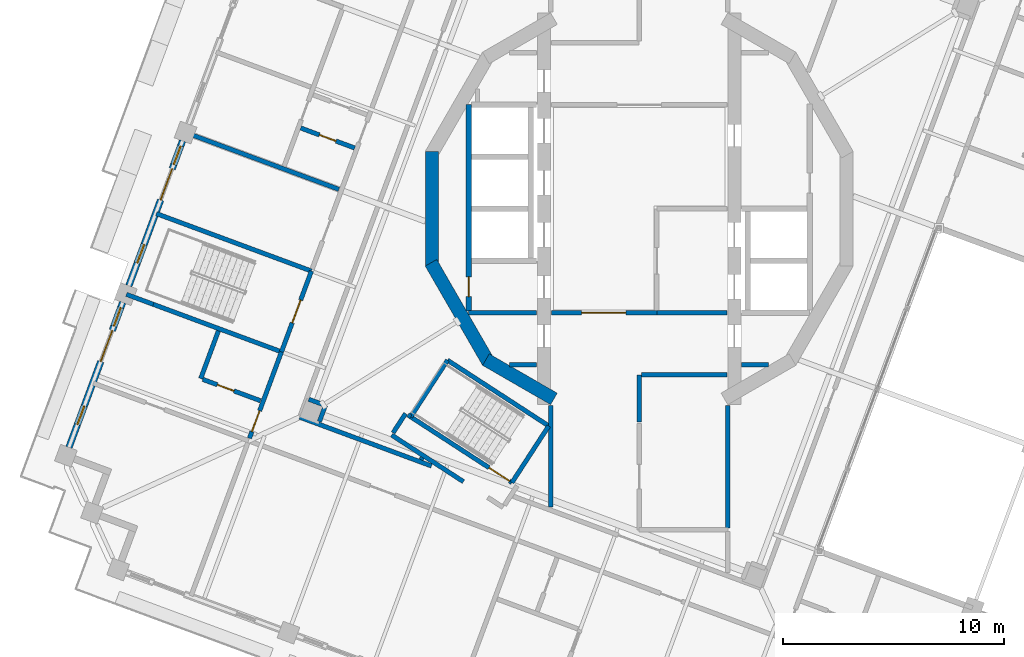
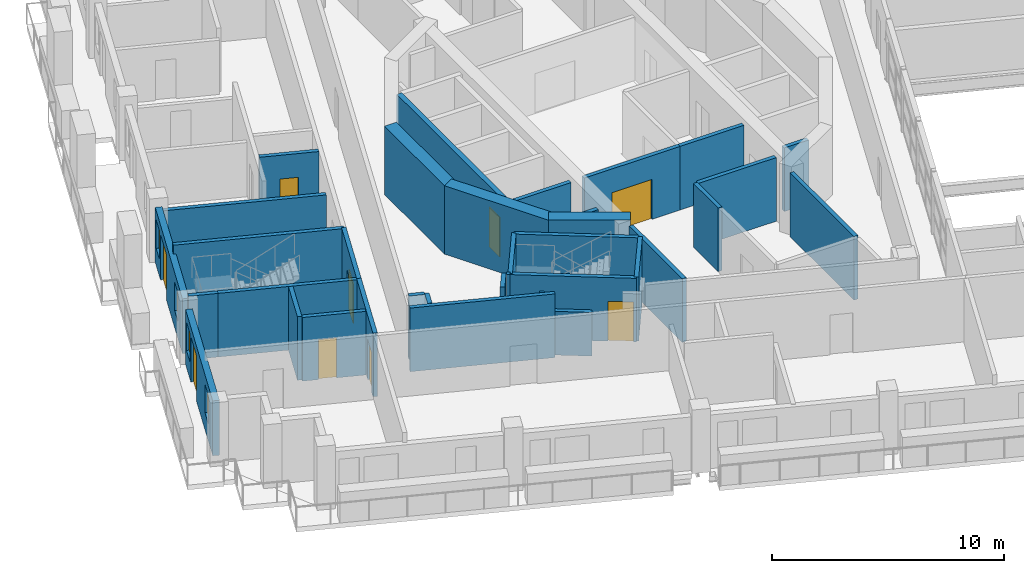
# One storey, part 6 of 19: 35 walls, 9 doors, 4 windows, 13 openings.
"""IFC4 building model written with IfcOpenShell, lengths in metres."""

from ifc_helpers import new_model, si_unit, direction, frame, frame_2d, origin, place, context, subcontext, project, spatial, rectangle, extrude, material, layer, layer_set, type_object, element, fill, save


model = new_model("IFC4")

# Units and contexts
model_context = context("Model", 3, precision=1e-05, world=origin(), true_north=direction((0.0, 1.0)))
body_context = subcontext(model_context, "Body", "Model", "MODEL_VIEW")
ifc_project = project(units=[si_unit("LENGTHUNIT", "METRE"), si_unit("AREAUNIT", "SQUARE_METRE"), si_unit("VOLUMEUNIT", "CUBIC_METRE"), si_unit("PLANEANGLEUNIT", "RADIAN"), si_unit("MASSUNIT", "GRAM", prefix="KILO")], contexts=[model_context])

# Site, building, storey
site_placement = place(None, origin())
site = spatial("IfcSite", under=ifc_project, at=site_placement, CompositionType="ELEMENT")
building_placement = place(site_placement, origin())
building = spatial("IfcBuilding", under=site, at=building_placement, Name="Cantera Rosa Tower", CompositionType="ELEMENT")
storey_placement = place(building_placement, frame((0.0, 0.0, 334.89990234375)))
storey = spatial("IfcBuildingStorey", under=building, at=storey_placement, Name="L75", CompositionType="ELEMENT", Elevation=334.89990234375)

# Wall
ifc_material_1 = material(Name="Gypsum board partition")
ifc_layer_1 = layer(ifc_material_1, 0.199951171875)
ifc_layer_set_1 = layer_set([ifc_layer_1], Name="CORRIDOR WALL 200 H2300")
wall_type_1 = type_object("IfcWallType", Name="CORRIDOR WALL 200 H2300", PredefinedType="PARTITIONING", material=ifc_layer_set_1)
wall_1_placement = place(storey_placement, frame((-11.177490234375, -10.216552734375, 0.0), z_axis=(0.0, 0.0, 1.0), x_axis=(0.83867589464, -0.544630832537, 0.0)))
element("IfcWall", 1, at=wall_1_placement, inside=storey, type_object=wall_type_1, Name="CORRIDOR WALL L75-022", PredefinedType="PARTITIONING", context=body_context, shape_type="SweptSolid", body=[
    extrude(rectangle(XDim=3.864990234375, YDim=0.199951171875, at=frame_2d((1.9326171875, 0.0))), origin(), (0.0, 0.0, 1.0), 2.300048828125),
])

# Wall, opening, door
ifc_material_2 = material(Name="Gypsum board partition")
ifc_layer_2 = layer(ifc_material_2, 0.199951171875)
ifc_layer_set_2 = layer_set([ifc_layer_2], Name="CORRIDOR WALL 200 H3350")
wall_type_2 = type_object("IfcWallType", Name="CORRIDOR WALL 200 H3350", PredefinedType="PARTITIONING", material=ifc_layer_set_2)
wall_2_placement = place(storey_placement, frame((-16.1513671875, -6.460205078125, 0.0), z_axis=(0.0, 0.0, 1.0), x_axis=(-0.34742903777, -0.937706277954, 0.0)))
wall_2 = element("IfcWall", 2, at=wall_2_placement, inside=storey, type_object=wall_type_2, Name="CORRIDOR WALL L75-010", PredefinedType="PARTITIONING", context=body_context, shape_type="SweptSolid", body=[
    extrude(rectangle(XDim=4.159912109375, YDim=0.199951171875, at=frame_2d((2.080078125, 0.0))), origin(), (0.0, 0.0, 1.0), 3.35009765625),
])
opening_1_placement = place(wall_2_placement, frame((2.840087890625, 0.0, 0.0)))
opening_1 = element("IfcOpeningElement", 3, at=opening_1_placement, cuts=wall_2, Name="Opening L75-038", PredefinedType="OPENING", context=body_context, shape_type="SweptSolid", body=[
    extrude(rectangle(XDim=1.0, YDim=2.10009765625, at=frame_2d((0.5, 1.050048828125))), frame((0.0, 0.10986328125, 0.0), z_axis=(0.0, -1.0, 0.0), x_axis=(1.0, 0.0, 0.0)), (0.0, 0.0, 1.0), 0.219970703125),
])
ifc_material_3 = material(Name="Timber door leaf", Category="wood")
door_type_1 = type_object("IfcDoorType", Name="ENTRANCE DOOR 1000x2100", OperationType="NOTDEFINED", PredefinedType="DOOR", material=ifc_material_3)
door_1_placement = place(opening_1_placement, origin())
door_1 = element("IfcDoor", 4, at=door_1_placement, inside=storey, type_object=door_type_1, Name="DOOR L75-038", OperationType="NOTDEFINED", OverallHeight=2.10009765625, OverallWidth=1.0, PredefinedType="DOOR", context=body_context, shape_type="SweptSolid", body=[
    extrude(rectangle(XDim=1.0, YDim=2.10009765625, at=frame_2d((0.5, 1.050048828125))), frame((0.0, 0.02490234375, 0.0), z_axis=(0.0, -1.0, 0.0), x_axis=(1.0, 0.0, 0.0)), (0.0, 0.0, 1.0), 0.050048828125),
])
fill(opening_1, door_1)

# Walls
wall_3_placement = place(storey_placement, frame((-15.3251953125, -9.4111328125, 0.0), z_axis=(0.0, 0.0, 1.0), x_axis=(0.937682798528, -0.347492401852, 0.0)))
element("IfcWall", 5, at=wall_3_placement, inside=storey, type_object=wall_type_2, Name="CORRIDOR WALL L75-013", PredefinedType="PARTITIONING", context=body_context, shape_type="SweptSolid", body=[
    extrude(rectangle(XDim=6.341552734375, YDim=0.199951171875, at=frame_2d((3.1708984375, 0.0))), origin(), (0.0, 0.0, 1.0), 3.35009765625),
])
wall_4_placement = place(storey_placement, frame((-10.546630859375, -9.2451171875, 0.0), z_axis=(0.0, 0.0, 1.0), x_axis=(-0.544732150362, -0.838610090782, 0.0)))
element("IfcWall", 6, at=wall_4_placement, inside=storey, type_object=wall_type_2, Name="CORRIDOR WALL L75-025", PredefinedType="PARTITIONING", context=body_context, shape_type="SweptSolid", body=[
    extrude(rectangle(XDim=1.038330078125, YDim=0.199951171875, at=frame_2d((0.51904296875, 0.0))), origin(), (0.0, 0.0, 1.0), 3.35009765625),
])
wall_5_placement = place(storey_placement, frame((-10.31591796875, -9.394775390625, 0.0), z_axis=(0.0, 0.0, 1.0), x_axis=(-0.838299581658, 0.545209878296, 0.0)))
element("IfcWall", 7, at=wall_5_placement, inside=storey, type_object=wall_type_2, Name="CORRIDOR WALL L75-026", PredefinedType="PARTITIONING", context=body_context, shape_type="SweptSolid", body=[
    extrude(rectangle(XDim=0.155029296875, YDim=0.199951171875, at=frame_2d((0.07763671875, 0.0))), origin(), (0.0, 0.0, 1.0), 3.35009765625),
])
wall_6_placement = place(storey_placement, frame((-4.0, -13.468017578125, 0.0), z_axis=(0.0, 0.0, 1.0), x_axis=(0.0, 1.0, 0.0)))
element("IfcWall", 8, at=wall_6_placement, inside=storey, type_object=wall_type_2, Name="CORRIDOR WALL L75-052", PredefinedType="PARTITIONING", context=body_context, shape_type="SweptSolid", body=[
    extrude(rectangle(XDim=4.589111328125, YDim=0.199951171875, at=frame_2d((2.29443359375, 0.0))), origin(), (0.0, 0.0, 1.0), 3.35009765625),
])
wall_7_placement = place(storey_placement, frame((0.0, -7.5, 0.0), z_axis=(0.0, 0.0, 1.0), x_axis=(0.0, -1.0, 0.0)))
element("IfcWall", 9, at=wall_7_placement, inside=storey, type_object=wall_type_2, Name="CORRIDOR WALL L75-064", PredefinedType="PARTITIONING", context=body_context, shape_type="SweptSolid", body=[
    extrude(rectangle(XDim=2.12939453125, YDim=0.199951171875, at=frame_2d((1.064697265625, 0.0))), origin(), (0.0, 0.0, 1.0), 3.35009765625),
])

# Wall, opening, door
wall_8_placement = place(storey_placement, frame((0.800048828125, -4.699951171875, 0.0), z_axis=(0.0, 0.0, 1.0), x_axis=(-1.0, 0.0, 0.0)))
wall_8 = element("IfcWall", 10, at=wall_8_placement, inside=storey, type_object=wall_type_2, Name="CORRIDOR WALL L75-069", PredefinedType="PARTITIONING", context=body_context, shape_type="SweptSolid", body=[
    extrude(rectangle(XDim=4.77001953125, YDim=0.199951171875, at=frame_2d((2.385009765625, 0.0))), origin(), (0.0, 0.0, 1.0), 3.35009765625),
])
opening_2_placement = place(wall_8_placement, frame((1.39990234375, 0.0, 0.0)))
opening_2 = element("IfcOpeningElement", 11, at=opening_2_placement, cuts=wall_8, Name="Opening L75-012", PredefinedType="OPENING", context=body_context, shape_type="SweptSolid", body=[
    extrude(rectangle(XDim=2.0, YDim=2.10009765625, at=frame_2d((1.0, 1.050048828125))), frame((0.0, 0.10986328125, 0.0), z_axis=(0.0, -1.0, 0.0), x_axis=(1.0, 0.0, 0.0)), (0.0, 0.0, 1.0), 0.219970703125),
])
ifc_material_4 = material(Name="Steel S355J2 (EN 10025-2)", Category="steel")
door_type_2 = type_object("IfcDoorType", Name="LOBBY SCREEN DOOR 2000x2100", OperationType="NOTDEFINED", PredefinedType="DOOR", material=ifc_material_4)
door_2_placement = place(opening_2_placement, origin())
door_2 = element("IfcDoor", 12, at=door_2_placement, inside=storey, type_object=door_type_2, Name="DOOR L75-012", OperationType="NOTDEFINED", OverallHeight=2.10009765625, OverallWidth=2.0, PredefinedType="DOOR", context=body_context, shape_type="SweptSolid", body=[
    extrude(rectangle(XDim=2.0, YDim=2.10009765625, at=frame_2d((1.0, 1.050048828125))), frame((0.0, 0.02490234375, 0.0), z_axis=(0.0, -1.0, 0.0), x_axis=(1.0, 0.0, 0.0)), (0.0, 0.0, 1.0), 0.050048828125),
])
fill(opening_2, door_2)

# Wall
wall_9_placement = place(storey_placement, frame((3.969970703125, -7.5, 0.0), z_axis=(0.0, 0.0, 1.0), x_axis=(-1.0, 0.0, 0.0)))
element("IfcWall", 13, at=wall_9_placement, inside=storey, type_object=wall_type_2, Name="CORRIDOR WALL L75-075", PredefinedType="PARTITIONING", context=body_context, shape_type="SweptSolid", body=[
    extrude(rectangle(XDim=3.869873046875, YDim=0.199951171875, at=frame_2d((1.93505859375, 0.0))), origin(), (0.0, 0.0, 1.0), 3.35009765625),
])

# Wall, openings, windows, door
ifc_material_5 = material(Name="Hollow clay masonry with cantera stone cladding", Category="masonry")
ifc_layer_3 = layer(ifc_material_5, 0.300048828125)
ifc_layer_set_3 = layer_set([ifc_layer_3], Name="EW-LOGGIA 300 H2890")
wall_type_3 = type_object("IfcWallType", Name="EW-LOGGIA 300 H2890", PredefinedType="SOLIDWALL", material=ifc_layer_set_3)
wall_10_placement = place(storey_placement, frame((-20.61962890625, 3.06591796875, 0.0), z_axis=(0.0, 0.0, 1.0), x_axis=(-0.347471562124, -0.937690521182, 0.0)))
wall_10 = element("IfcWall", 14, at=wall_10_placement, inside=storey, type_object=wall_type_3, Name="EN-L75-W10", PredefinedType="SOLIDWALL", context=body_context, shape_type="SweptSolid", body=[
    extrude(rectangle(XDim=6.979736328125, YDim=0.300048828125, at=frame_2d((3.48974609375, 0.0))), origin(), (0.0, 0.0, 1.0), 2.89013671875),
])
opening_3_placement = place(wall_10_placement, frame((0.2451171875, 0.0, 0.89990234375)))
opening_3 = element("IfcOpeningElement", 15, at=opening_3_placement, cuts=wall_10, Name="Opening L75-W22", PredefinedType="OPENING", context=body_context, shape_type="SweptSolid", body=[
    extrude(rectangle(XDim=0.89990234375, YDim=1.5, at=frame_2d((0.449951171875, 0.75))), frame((0.0, 0.159912109375, 0.0), z_axis=(0.0, -1.0, 0.0), x_axis=(1.0, 0.0, 0.0)), (0.0, 0.0, 1.0), 0.320068359375),
])
opening_4_placement = place(wall_10_placement, frame((1.344970703125, 0.0, 0.0)))
opening_4 = element("IfcOpeningElement", 16, at=opening_4_placement, cuts=wall_10, Name="Opening L75-TD23", PredefinedType="OPENING", context=body_context, shape_type="SweptSolid", body=[
    extrude(rectangle(XDim=1.5, YDim=2.39990234375, at=frame_2d((0.75, 1.199951171875))), frame((0.0, 0.159912109375, 0.0), z_axis=(0.0, -1.0, 0.0), x_axis=(1.0, 0.0, 0.0)), (0.0, 0.0, 1.0), 0.320068359375),
])
opening_5_placement = place(wall_10_placement, frame((4.985107421875, 0.0, 0.89990234375)))
opening_5 = element("IfcOpeningElement", 17, at=opening_5_placement, cuts=wall_10, Name="Opening L75-W24", PredefinedType="OPENING", context=body_context, shape_type="SweptSolid", body=[
    extrude(rectangle(XDim=0.89990234375, YDim=1.5, at=frame_2d((0.449951171875, 0.75))), frame((0.0, 0.159912109375, 0.0), z_axis=(0.0, -1.0, 0.0), x_axis=(1.0, 0.0, 0.0)), (0.0, 0.0, 1.0), 0.320068359375),
])
ifc_material_6 = material(Name="Aluminium frame with clear glass", Category="aluminium")
window_type = type_object("IfcWindowType", Name="Residential window 900x1500", PartitioningType="SINGLE_PANEL", PredefinedType="WINDOW", material=ifc_material_6)
window_1_placement = place(opening_3_placement, origin())
window_1 = element("IfcWindow", 18, at=window_1_placement, inside=storey, type_object=window_type, Name="WINDOW L75-W22", OverallHeight=1.5, OverallWidth=0.89990234375, PartitioningType="SINGLE_PANEL", PredefinedType="WINDOW", context=body_context, shape_type="SweptSolid", body=[
    extrude(rectangle(XDim=0.89990234375, YDim=1.5, at=frame_2d((0.449951171875, 0.75))), frame((0.0, 0.030029296875, 0.0), z_axis=(0.0, -1.0, 0.0), x_axis=(1.0, 0.0, 0.0)), (0.0, 0.0, 1.0), 0.06005859375),
])
fill(opening_3, window_1)
window_2_placement = place(opening_5_placement, origin())
window_2 = element("IfcWindow", 19, at=window_2_placement, inside=storey, type_object=window_type, Name="WINDOW L75-W24", OverallHeight=1.5, OverallWidth=0.89990234375, PartitioningType="SINGLE_PANEL", PredefinedType="WINDOW", context=body_context, shape_type="SweptSolid", body=[
    extrude(rectangle(XDim=0.89990234375, YDim=1.5, at=frame_2d((0.449951171875, 0.75))), frame((0.0, 0.030029296875, 0.0), z_axis=(0.0, -1.0, 0.0), x_axis=(1.0, 0.0, 0.0)), (0.0, 0.0, 1.0), 0.06005859375),
])
fill(opening_5, window_2)
ifc_material_7 = material(Name="Aluminium frame with clear glass", Category="aluminium")
door_type_3 = type_object("IfcDoorType", Name="TD-R 1500x2400", OperationType="NOTDEFINED", PredefinedType="DOOR", material=ifc_material_7)
door_3_placement = place(opening_4_placement, origin())
door_3 = element("IfcDoor", 20, at=door_3_placement, inside=storey, type_object=door_type_3, Name="LOGGIA DOOR L75-TD23", OperationType="SLIDING_TO_LEFT", OverallHeight=2.39990234375, OverallWidth=1.5, PredefinedType="DOOR", context=body_context, shape_type="SweptSolid", body=[
    extrude(rectangle(XDim=1.5, YDim=2.39990234375, at=frame_2d((0.75, 1.199951171875))), frame((0.0, 0.02490234375, 0.0), z_axis=(0.0, -1.0, 0.0), x_axis=(1.0, 0.0, 0.0)), (0.0, 0.0, 1.0), 0.050048828125),
])
fill(opening_4, door_3)

wall_11_placement = place(storey_placement, frame((-23.322998046875, -4.229248046875, 0.0), z_axis=(0.0, 0.0, 1.0), x_axis=(-0.347460165909, -0.937694744097, 0.0)))
wall_11 = element("IfcWall", 21, at=wall_11_placement, inside=storey, type_object=wall_type_3, Name="EN-L75-W11", PredefinedType="SOLIDWALL", context=body_context, shape_type="SweptSolid", body=[
    extrude(rectangle(XDim=6.97998046875, YDim=0.300048828125, at=frame_2d((3.489990234375, 0.0))), origin(), (0.0, 0.0, 1.0), 2.89013671875),
])
opening_6_placement = place(wall_11_placement, frame((0.2451171875, 0.0, 0.89990234375)))
opening_6 = element("IfcOpeningElement", 22, at=opening_6_placement, cuts=wall_11, Name="Opening L75-W25", PredefinedType="OPENING", context=body_context, shape_type="SweptSolid", body=[
    extrude(rectangle(XDim=0.89990234375, YDim=1.5, at=frame_2d((0.449951171875, 0.75))), frame((0.0, 0.159912109375, 0.0), z_axis=(0.0, -1.0, 0.0), x_axis=(1.0, 0.0, 0.0)), (0.0, 0.0, 1.0), 0.320068359375),
])
opening_7_placement = place(wall_11_placement, frame((1.344970703125, 0.0, 0.0)))
opening_7 = element("IfcOpeningElement", 23, at=opening_7_placement, cuts=wall_11, Name="Opening L75-TD26", PredefinedType="OPENING", context=body_context, shape_type="SweptSolid", body=[
    extrude(rectangle(XDim=1.5, YDim=2.39990234375, at=frame_2d((0.75, 1.199951171875))), frame((0.0, 0.159912109375, 0.0), z_axis=(0.0, -1.0, 0.0), x_axis=(1.0, 0.0, 0.0)), (0.0, 0.0, 1.0), 0.320068359375),
])
opening_8_placement = place(wall_11_placement, frame((4.985107421875, 0.0, 0.89990234375)))
opening_8 = element("IfcOpeningElement", 24, at=opening_8_placement, cuts=wall_11, Name="Opening L75-W27", PredefinedType="OPENING", context=body_context, shape_type="SweptSolid", body=[
    extrude(rectangle(XDim=0.89990234375, YDim=1.5, at=frame_2d((0.449951171875, 0.75))), frame((0.0, 0.159912109375, 0.0), z_axis=(0.0, -1.0, 0.0), x_axis=(1.0, 0.0, 0.0)), (0.0, 0.0, 1.0), 0.320068359375),
])
window_3_placement = place(opening_6_placement, origin())
window_3 = element("IfcWindow", 25, at=window_3_placement, inside=storey, type_object=window_type, Name="WINDOW L75-W25", OverallHeight=1.5, OverallWidth=0.89990234375, PartitioningType="SINGLE_PANEL", PredefinedType="WINDOW", context=body_context, shape_type="SweptSolid", body=[
    extrude(rectangle(XDim=0.89990234375, YDim=1.5, at=frame_2d((0.449951171875, 0.75))), frame((0.0, 0.030029296875, 0.0), z_axis=(0.0, -1.0, 0.0), x_axis=(1.0, 0.0, 0.0)), (0.0, 0.0, 1.0), 0.06005859375),
])
fill(opening_6, window_3)
window_4_placement = place(opening_8_placement, origin())
window_4 = element("IfcWindow", 26, at=window_4_placement, inside=storey, type_object=window_type, Name="WINDOW L75-W27", OverallHeight=1.5, OverallWidth=0.89990234375, PartitioningType="SINGLE_PANEL", PredefinedType="WINDOW", context=body_context, shape_type="SweptSolid", body=[
    extrude(rectangle(XDim=0.89990234375, YDim=1.5, at=frame_2d((0.449951171875, 0.75))), frame((0.0, 0.030029296875, 0.0), z_axis=(0.0, -1.0, 0.0), x_axis=(1.0, 0.0, 0.0)), (0.0, 0.0, 1.0), 0.06005859375),
])
fill(opening_8, window_4)
door_4_placement = place(opening_7_placement, origin())
door_4 = element("IfcDoor", 27, at=door_4_placement, inside=storey, type_object=door_type_3, Name="LOGGIA DOOR L75-TD26", OperationType="SLIDING_TO_LEFT", OverallHeight=2.39990234375, OverallWidth=1.5, PredefinedType="DOOR", context=body_context, shape_type="SweptSolid", body=[
    extrude(rectangle(XDim=1.5, YDim=2.39990234375, at=frame_2d((0.75, 1.199951171875))), frame((0.0, 0.02490234375, 0.0), z_axis=(0.0, -1.0, 0.0), x_axis=(1.0, 0.0, 0.0)), (0.0, 0.0, 1.0), 0.050048828125),
])
fill(opening_7, door_4)

# Wall
ifc_material_8 = material(Name="Gypsum board partition")
ifc_layer_4 = layer(ifc_material_8, 0.199951171875)
ifc_layer_set_4 = layer_set([ifc_layer_4], Name="PARTITION 200 H3350")
wall_type_4 = type_object("IfcWallType", Name="PARTITION 200 H3350", PredefinedType="PARTITIONING", material=ifc_layer_set_4)
wall_12_placement = place(storey_placement, frame((-19.79833984375, -7.668212890625, 0.0), z_axis=(0.0, 0.0, 1.0), x_axis=(0.347549446773, 0.937661656488, 0.0)))
element("IfcWall", 28, at=wall_12_placement, inside=storey, type_object=wall_type_4, Name="PARTITION L75-003", PredefinedType="PARTITIONING", context=body_context, shape_type="SweptSolid", body=[
    extrude(rectangle(XDim=2.2998046875, YDim=0.199951171875, at=frame_2d((1.14990234375, 0.0))), origin(), (0.0, 0.0, 1.0), 3.35009765625),
])

# Wall, opening, door
wall_13_placement = place(storey_placement, frame((-17.09765625, -8.6689453125, 0.0), z_axis=(0.0, 0.0, 1.0), x_axis=(-0.937714858081, 0.347405879244, 0.0)))
wall_13 = element("IfcWall", 29, at=wall_13_placement, inside=storey, type_object=wall_type_4, Name="PARTITION L75-008", PredefinedType="PARTITIONING", context=body_context, shape_type="SweptSolid", body=[
    extrude(rectangle(XDim=2.780029296875, YDim=0.199951171875, at=frame_2d((1.39013671875, 0.0))), origin(), (0.0, 0.0, 1.0), 3.35009765625),
])
opening_9_placement = place(wall_13_placement, frame((1.280029296875, 0.0, 0.0)))
opening_9 = element("IfcOpeningElement", 30, at=opening_9_placement, cuts=wall_13, Name="Opening L75-039", PredefinedType="OPENING", context=body_context, shape_type="SweptSolid", body=[
    extrude(rectangle(XDim=0.800048828125, YDim=2.10009765625, at=frame_2d((0.39990234375, 1.050048828125))), frame((0.0, 0.10986328125, 0.0), z_axis=(0.0, -1.0, 0.0), x_axis=(1.0, 0.0, 0.0)), (0.0, 0.0, 1.0), 0.219970703125),
])
ifc_material_9 = material(Name="Timber door leaf", Category="wood")
door_type_4 = type_object("IfcDoorType", Name="BATHROOM DOOR 800x2100", OperationType="NOTDEFINED", PredefinedType="DOOR", material=ifc_material_9)
door_5_placement = place(opening_9_placement, origin())
door_5 = element("IfcDoor", 31, at=door_5_placement, inside=storey, type_object=door_type_4, Name="DOOR L75-039", OperationType="NOTDEFINED", OverallHeight=2.10009765625, OverallWidth=0.800048828125, PredefinedType="DOOR", context=body_context, shape_type="SweptSolid", body=[
    extrude(rectangle(XDim=0.800048828125, YDim=2.10009765625, at=frame_2d((0.39990234375, 1.050048828125))), frame((0.0, 0.02490234375, 0.0), z_axis=(0.0, -1.0, 0.0), x_axis=(1.0, 0.0, 0.0)), (0.0, 0.0, 1.0), 0.050048828125),
])
fill(opening_9, door_5)

wall_14_placement = place(storey_placement, frame((-15.28466796875, 3.6484375, 0.0), z_axis=(0.0, 0.0, 1.0), x_axis=(0.937703444273, -0.347436685741, 0.0)))
wall_14 = element("IfcWall", 32, at=wall_14_placement, inside=storey, type_object=wall_type_4, Name="PARTITION L75-012", PredefinedType="PARTITIONING", context=body_context, shape_type="SweptSolid", body=[
    extrude(rectangle(XDim=2.599853515625, YDim=0.199951171875, at=frame_2d((1.2998046875, 0.0))), origin(), (0.0, 0.0, 1.0), 3.35009765625),
])
opening_10_placement = place(wall_14_placement, frame((0.89990234375, 0.0, 0.0)))
opening_10 = element("IfcOpeningElement", 33, at=opening_10_placement, cuts=wall_14, Name="Opening L75-029", PredefinedType="OPENING", context=body_context, shape_type="SweptSolid", body=[
    extrude(rectangle(XDim=0.800048828125, YDim=2.10009765625, at=frame_2d((0.39990234375, 1.050048828125))), frame((0.0, 0.10986328125, 0.0), z_axis=(0.0, -1.0, 0.0), x_axis=(1.0, 0.0, 0.0)), (0.0, 0.0, 1.0), 0.219970703125),
])
door_6_placement = place(opening_10_placement, origin())
door_6 = element("IfcDoor", 34, at=door_6_placement, inside=storey, type_object=door_type_4, Name="DOOR L75-029", OperationType="NOTDEFINED", OverallHeight=2.10009765625, OverallWidth=0.800048828125, PredefinedType="DOOR", context=body_context, shape_type="SweptSolid", body=[
    extrude(rectangle(XDim=0.800048828125, YDim=2.10009765625, at=frame_2d((0.39990234375, 1.050048828125))), frame((0.0, 0.02490234375, 0.0), z_axis=(0.0, -1.0, 0.0), x_axis=(1.0, 0.0, 0.0)), (0.0, 0.0, 1.0), 0.050048828125),
])
fill(opening_10, door_6)

# Walls
wall_15_placement = place(storey_placement, frame((-14.439697265625, -9.611328125, 0.0), z_axis=(0.0, 0.0, 1.0), x_axis=(0.347691457596, 0.937609007164, 0.0)))
element("IfcWall", 35, at=wall_15_placement, inside=storey, type_object=wall_type_4, Name="PARTITION L75-017", PredefinedType="PARTITIONING", context=body_context, shape_type="SweptSolid", body=[
    extrude(rectangle(XDim=0.780029296875, YDim=0.199951171875, at=frame_2d((0.39013671875, 0.0))), origin(), (0.0, 0.0, 1.0), 3.35009765625),
])
wall_16_placement = place(storey_placement, frame((-14.26220703125, -8.84521484375, 0.0), z_axis=(0.0, 0.0, 1.0), x_axis=(-0.937740347131, 0.347337071678, 0.0)))
element("IfcWall", 36, at=wall_16_placement, inside=storey, type_object=wall_type_4, Name="PARTITION L75-018", PredefinedType="PARTITIONING", context=body_context, shape_type="SweptSolid", body=[
    extrude(rectangle(XDim=0.7001953125, YDim=0.199951171875, at=frame_2d((0.35009765625, 0.0))), origin(), (0.0, 0.0, 1.0), 3.35009765625),
])
wall_17_placement = place(storey_placement, frame((-9.79931640625, -11.230224609375, 0.0), z_axis=(0.0, 0.0, 1.0), x_axis=(-0.4472135955, -0.894427191, 0.0)))
element("IfcWall", 37, at=wall_17_placement, inside=storey, type_object=wall_type_4, Name="PARTITION L75-028", PredefinedType="PARTITIONING", context=body_context, shape_type="SweptSolid", body=[
    extrude(rectangle(XDim=0.11572265625, YDim=0.199951171875, at=frame_2d((0.057861328125, 0.0))), origin(), (0.0, 0.0, 1.0), 3.35009765625),
])
wall_18_placement = place(storey_placement, frame((-7.699951171875, -4.699951171875, 0.0), z_axis=(0.0, 0.0, 1.0), x_axis=(1.0, 0.0, 0.0)))
element("IfcWall", 38, at=wall_18_placement, inside=storey, type_object=wall_type_4, Name="PARTITION L75-030", PredefinedType="PARTITIONING", context=body_context, shape_type="SweptSolid", body=[
    extrude(rectangle(XDim=3.070068359375, YDim=0.199951171875, at=frame_2d((1.53515625, 0.0))), origin(), (0.0, 0.0, 1.0), 3.35009765625),
])
wall_19_placement = place(storey_placement, frame((-4.6298828125, -7.050048828125, 0.0), z_axis=(0.0, 0.0, 1.0), x_axis=(-1.0, 0.0, 0.0)))
element("IfcWall", 39, at=wall_19_placement, inside=storey, type_object=wall_type_4, Name="PARTITION L75-048", PredefinedType="PARTITIONING", context=body_context, shape_type="SweptSolid", body=[
    extrude(rectangle(XDim=1.2177734375, YDim=0.199951171875, at=frame_2d((0.60888671875, 0.0))), origin(), (0.0, 0.0, 1.0), 3.35009765625),
])
wall_20_placement = place(storey_placement, frame((4.0, -14.419921875, 0.0), z_axis=(0.0, 0.0, 1.0), x_axis=(0.0, 1.0, 0.0)))
element("IfcWall", 40, at=wall_20_placement, inside=storey, type_object=wall_type_4, Name="PARTITION L75-078", PredefinedType="PARTITIONING", context=body_context, shape_type="SweptSolid", body=[
    extrude(rectangle(XDim=5.541015625, YDim=0.199951171875, at=frame_2d((2.7705078125, 0.0))), origin(), (0.0, 0.0, 1.0), 3.35009765625),
])
wall_21_placement = place(storey_placement, frame((5.84765625, -7.050048828125, 0.0), z_axis=(0.0, 0.0, 1.0), x_axis=(-1.0, 0.0, 0.0)))
element("IfcWall", 41, at=wall_21_placement, inside=storey, type_object=wall_type_4, Name="PARTITION L75-087", PredefinedType="PARTITIONING", context=body_context, shape_type="SweptSolid", body=[
    extrude(rectangle(XDim=1.2177734375, YDim=0.199951171875, at=frame_2d((0.60888671875, 0.0))), origin(), (0.0, 0.0, 1.0), 3.35009765625),
])
ifc_material_10 = material(Name="Gypsum board partition")
ifc_layer_5 = layer(ifc_material_10, 0.199951171875)
ifc_layer_set_5 = layer_set([ifc_layer_5], Name="PARTY WALL 200 H2450")
wall_type_5 = type_object("IfcWallType", Name="PARTY WALL 200 H2450", PredefinedType="PARTITIONING", material=ifc_layer_set_5)
wall_22_placement = place(storey_placement, frame((-13.560302734375, 0.876708984375, 0.0), z_axis=(0.0, 0.0, 1.0), x_axis=(-0.937689847803, 0.347473379308, 0.0)))
element("IfcWall", 42, at=wall_22_placement, inside=storey, type_object=wall_type_5, Name="PARTY WALL L75-019", PredefinedType="PARTITIONING", context=body_context, shape_type="SweptSolid", body=[
    extrude(rectangle(XDim=7.35009765625, YDim=0.199951171875, at=frame_2d((3.675048828125, 0.0))), origin(), (0.0, 0.0, 1.0), 2.4501953125),
])
ifc_material_11 = material(Name="Concrete C50/60", Category="concrete")
ifc_layer_6 = layer(ifc_material_11, 0.60009765625)
ifc_layer_set_6 = layer_set([ifc_layer_6], Name="RC CORE WALL 600 C50/60")
wall_type_6 = type_object("IfcWallType", Name="RC CORE WALL 600 C50/60", PredefinedType="SHEAR", material=ifc_layer_set_6)
wall_23_placement = place(storey_placement, frame((-3.85009765625, -8.584228515625, 0.0), z_axis=(0.0, 0.0, 1.0), x_axis=(-0.866039982607, 0.499974747889, 0.0)))
element("IfcWall", 43, at=wall_23_placement, inside=storey, type_object=wall_type_6, Name="CW-W1 L75", PredefinedType="SHEAR", context=body_context, shape_type="SweptSolid", body=[
    extrude(rectangle(XDim=3.546142578125, YDim=0.60009765625, at=frame_2d((1.77294921875, 0.0))), origin(), (0.0, 0.0, 1.0), 3.60009765625),
])
for number, where, z_axis, x_axis, name in (
    (44, (-6.811279296875, -6.921142578125, 0.0), (0.0, 0.0, 1.0), (-0.499989188378, 0.866031645787, 0.0), "CW-W2 L75"),
    (45, (-9.359375, -2.588134765625, 0.0), (0.0, 0.0, 1.0), (0.0, 1.0, 0.0), "CW-W3 L75"),
):
    element("IfcWall", number, at=place(storey_placement, frame(where, z_axis=z_axis, x_axis=x_axis)), inside=storey, type_object=wall_type_6, Name=name, PredefinedType="SHEAR", context=body_context, shape_type="SweptSolid", body=[
        extrude(rectangle(XDim=5.17626953125, YDim=0.60009765625, at=frame_2d((2.588134765625, 0.0))), origin(), (0.0, 0.0, 1.0), 3.60009765625),
    ])

# Wall, opening, door
ifc_material_12 = material(Name="Masonry blockwork", Category="masonry")
ifc_layer_7 = layer(ifc_material_12, 0.25)
ifc_layer_set_7 = layer_set([ifc_layer_7], Name="SHAFT WALL 250 H3350")
wall_type_7 = type_object("IfcWallType", Name="SHAFT WALL 250 H3350", PredefinedType="SOLIDWALL", material=ifc_layer_set_7)
wall_24_placement = place(storey_placement, frame((-7.699951171875, 4.699951171875, 0.0), z_axis=(0.0, 0.0, 1.0), x_axis=(0.0, -1.0, 0.0)))
wall_24 = element("IfcWall", 46, at=wall_24_placement, inside=storey, type_object=wall_type_7, Name="SHAFT WALL L75-033", PredefinedType="SOLIDWALL", context=body_context, shape_type="SweptSolid", body=[
    extrude(rectangle(XDim=9.320068359375, YDim=0.25, at=frame_2d((4.66015625, 0.0))), origin(), (0.0, 0.0, 1.0), 3.35009765625),
])
opening_11_placement = place(wall_24_placement, frame((7.7705078125, 0.0, 0.0)))
opening_11 = element("IfcOpeningElement", 47, at=opening_11_placement, cuts=wall_24, Name="Opening L75-052", PredefinedType="OPENING", context=body_context, shape_type="SweptSolid", body=[
    extrude(rectangle(XDim=0.89990234375, YDim=2.10009765625, at=frame_2d((0.449951171875, 1.050048828125))), frame((0.0, 0.135009765625, 0.0), z_axis=(0.0, -1.0, 0.0), x_axis=(1.0, 0.0, 0.0)), (0.0, 0.0, 1.0), 0.27001953125),
])
ifc_material_13 = material(Name="Timber door leaf", Category="wood")
door_type_5 = type_object("IfcDoorType", Name="SERVICE DOOR 900x2100", OperationType="NOTDEFINED", PredefinedType="DOOR", material=ifc_material_13)
door_7_placement = place(opening_11_placement, origin())
door_7 = element("IfcDoor", 48, at=door_7_placement, inside=storey, type_object=door_type_5, Name="RISER DOOR L75-052", OperationType="NOTDEFINED", OverallHeight=2.10009765625, OverallWidth=0.89990234375, PredefinedType="DOOR", context=body_context, shape_type="SweptSolid", body=[
    extrude(rectangle(XDim=0.89990234375, YDim=2.10009765625, at=frame_2d((0.449951171875, 1.050048828125))), frame((0.0, 0.02490234375, 0.0), z_axis=(0.0, -1.0, 0.0), x_axis=(1.0, 0.0, 0.0)), (0.0, 0.0, 1.0), 0.050048828125),
])
fill(opening_11, door_7)

# Wall
ifc_material_14 = material(Name="Concrete C50/60", Category="concrete")
ifc_layer_8 = layer(ifc_material_14, 0.199951171875)
ifc_layer_set_8 = layer_set([ifc_layer_8], Name="STAIR WALL 200 H3350")
wall_type_8 = type_object("IfcWallType", Name="STAIR WALL 200 H3350", PredefinedType="SOLIDWALL", material=ifc_layer_set_8)
wall_25_placement = place(storey_placement, frame((-23.15576171875, -3.864501953125, 0.0), z_axis=(0.0, 0.0, 1.0), x_axis=(0.937642248704, -0.347601802994, 0.0)))
element("IfcWall", 49, at=wall_25_placement, inside=storey, type_object=wall_type_8, Name="STAIR WALL L75-002", PredefinedType="SOLIDWALL", context=body_context, shape_type="SweptSolid", body=[
    extrude(rectangle(XDim=1.300048828125, YDim=0.199951171875, at=frame_2d((0.64990234375, 0.0))), origin(), (0.0, 0.0, 1.0), 3.35009765625),
])

# Wall, opening, door
wall_26_placement = place(storey_placement, frame((-16.1513671875, -6.460205078125, 0.0), z_axis=(0.0, 0.0, 1.0), x_axis=(0.347516717491, 0.937673787126, 0.0)))
wall_26 = element("IfcWall", 50, at=wall_26_placement, inside=storey, type_object=wall_type_8, Name="STAIR WALL L75-011", PredefinedType="SOLIDWALL", context=body_context, shape_type="SweptSolid", body=[
    extrude(rectangle(XDim=3.889892578125, YDim=0.199951171875, at=frame_2d((1.94482421875, 0.0))), origin(), (0.0, 0.0, 1.0), 3.35009765625),
])
opening_12_placement = place(wall_26_placement, frame((1.39501953125, 0.0, 0.0)))
opening_12 = element("IfcOpeningElement", 51, at=opening_12_placement, cuts=wall_26, Name="Opening L75-003", PredefinedType="OPENING", context=body_context, shape_type="SweptSolid", body=[
    extrude(rectangle(XDim=1.10009765625, YDim=2.10009765625, at=frame_2d((0.550048828125, 1.050048828125))), frame((0.0, 0.10986328125, 0.0), z_axis=(0.0, -1.0, 0.0), x_axis=(1.0, 0.0, 0.0)), (0.0, 0.0, 1.0), 0.219970703125),
])
ifc_material_15 = material(Name="Steel S355J2 (EN 10025-2)", Category="steel")
door_type_6 = type_object("IfcDoorType", Name="STAIR DOOR 1100x2100", OperationType="NOTDEFINED", PredefinedType="DOOR", material=ifc_material_15)
door_8_placement = place(opening_12_placement, origin())
door_8 = element("IfcDoor", 52, at=door_8_placement, inside=storey, type_object=door_type_6, Name="DOOR L75-003", OperationType="NOTDEFINED", OverallHeight=2.10009765625, OverallWidth=1.10009765625, PredefinedType="DOOR", context=body_context, shape_type="SweptSolid", body=[
    extrude(rectangle(XDim=1.10009765625, YDim=2.10009765625, at=frame_2d((0.550048828125, 1.050048828125))), frame((0.0, 0.02490234375, 0.0), z_axis=(0.0, -1.0, 0.0), x_axis=(1.0, 0.0, 0.0)), (0.0, 0.0, 1.0), 0.050048828125),
])
fill(opening_12, door_8)

# Walls
wall_27_placement = place(storey_placement, frame((-14.799560546875, -2.812744140625, 0.0), z_axis=(0.0, 0.0, 1.0), x_axis=(-0.93768803379, 0.347478274555, 0.0)))
element("IfcWall", 53, at=wall_27_placement, inside=storey, type_object=wall_type_8, Name="STAIR WALL L75-016", PredefinedType="SOLIDWALL", context=body_context, shape_type="SweptSolid", body=[
    extrude(rectangle(XDim=7.47021484375, YDim=0.199951171875, at=frame_2d((3.735107421875, 0.0))), origin(), (0.0, 0.0, 1.0), 3.35009765625),
])
wall_28_placement = place(storey_placement, frame((-8.65478515625, -6.8369140625, 0.0), z_axis=(0.0, 0.0, 1.0), x_axis=(-0.544647854685, -0.838664840319, 0.0)))
element("IfcWall", 54, at=wall_28_placement, inside=storey, type_object=wall_type_8, Name="STAIR WALL L75-029", PredefinedType="SOLIDWALL", context=body_context, shape_type="SweptSolid", body=[
    extrude(rectangle(XDim=3.0498046875, YDim=0.199951171875, at=frame_2d((1.52490234375, 0.0))), origin(), (0.0, 0.0, 1.0), 3.35009765625),
])

# Wall, opening, door
wall_29_placement = place(storey_placement, frame((-5.7451171875, -12.363037109375, 0.0), z_axis=(0.0, 0.0, 1.0), x_axis=(-0.838674843592, 0.544632451041, 0.0)))
wall_29 = element("IfcWall", 55, at=wall_29_placement, inside=storey, type_object=wall_type_8, Name="STAIR WALL L75-043", PredefinedType="SOLIDWALL", context=body_context, shape_type="SweptSolid", body=[
    extrude(rectangle(XDim=5.449951171875, YDim=0.199951171875, at=frame_2d((2.72509765625, 0.0))), origin(), (0.0, 0.0, 1.0), 3.35009765625),
])
opening_13_placement = place(wall_29_placement, frame((0.1298828125, 0.0, 0.0)))
opening_13 = element("IfcOpeningElement", 56, at=opening_13_placement, cuts=wall_29, Name="Opening L75-004", PredefinedType="OPENING", context=body_context, shape_type="SweptSolid", body=[
    extrude(rectangle(XDim=1.10009765625, YDim=2.10009765625, at=frame_2d((0.550048828125, 1.050048828125))), frame((0.0, 0.10986328125, 0.0), z_axis=(0.0, -1.0, 0.0), x_axis=(1.0, 0.0, 0.0)), (0.0, 0.0, 1.0), 0.219970703125),
])
door_9_placement = place(opening_13_placement, origin())
door_9 = element("IfcDoor", 57, at=door_9_placement, inside=storey, type_object=door_type_6, Name="DOOR L75-004", OperationType="NOTDEFINED", OverallHeight=2.10009765625, OverallWidth=1.10009765625, PredefinedType="DOOR", context=body_context, shape_type="SweptSolid", body=[
    extrude(rectangle(XDim=1.10009765625, YDim=2.10009765625, at=frame_2d((0.550048828125, 1.050048828125))), frame((0.0, 0.02490234375, 0.0), z_axis=(0.0, -1.0, 0.0), x_axis=(1.0, 0.0, 0.0)), (0.0, 0.0, 1.0), 0.050048828125),
])
fill(opening_13, door_9)

# Walls
wall_30_placement = place(storey_placement, frame((-4.083984375, -9.80517578125, 0.0), z_axis=(0.0, 0.0, 1.0), x_axis=(-0.838674843592, 0.544632451041, 0.0)))
element("IfcWall", 58, at=wall_30_placement, inside=storey, type_object=wall_type_8, Name="STAIR WALL L75-050", PredefinedType="SOLIDWALL", context=body_context, shape_type="SweptSolid", body=[
    extrude(rectangle(XDim=5.449951171875, YDim=0.199951171875, at=frame_2d((2.72509765625, 0.0))), origin(), (0.0, 0.0, 1.0), 3.35009765625),
])
wall_31_placement = place(storey_placement, frame((-4.083984375, -9.80517578125, 0.0), z_axis=(0.0, 0.0, 1.0), x_axis=(-0.544647854685, -0.838664840319, 0.0)))
element("IfcWall", 59, at=wall_31_placement, inside=storey, type_object=wall_type_8, Name="STAIR WALL L75-051", PredefinedType="SOLIDWALL", context=body_context, shape_type="SweptSolid", body=[
    extrude(rectangle(XDim=3.0498046875, YDim=0.199951171875, at=frame_2d((1.52490234375, 0.0))), origin(), (0.0, 0.0, 1.0), 3.35009765625),
])
wall_32_placement = place(storey_placement, frame((3.969970703125, -4.699951171875, 0.0), z_axis=(0.0, 0.0, 1.0), x_axis=(-1.0, 0.0, 0.0)))
element("IfcWall", 60, at=wall_32_placement, inside=storey, type_object=wall_type_8, Name="STAIR WALL L75-076", PredefinedType="SOLIDWALL", context=body_context, shape_type="SweptSolid", body=[
    extrude(rectangle(XDim=3.169921875, YDim=0.199951171875, at=frame_2d((1.5849609375, 0.0))), origin(), (0.0, 0.0, 1.0), 3.35009765625),
])
wall_33_placement = place(storey_placement, frame((-21.936767578125, -4.31640625, 0.0), z_axis=(0.0, 0.0, 1.0), x_axis=(0.937692901762, -0.347465137797, 0.0)))
element("IfcWall", 61, at=wall_33_placement, inside=storey, type_object=wall_type_8, Name="STAIR WALL L75-002 J", PredefinedType="SOLIDWALL", context=body_context, shape_type="SweptSolid", body=[
    extrude(rectangle(XDim=6.169921875, YDim=0.199951171875, at=frame_2d((3.0849609375, 0.0))), origin(), (0.0, 0.0, 1.0), 3.35009765625),
])

save(model, "model.ifc")
